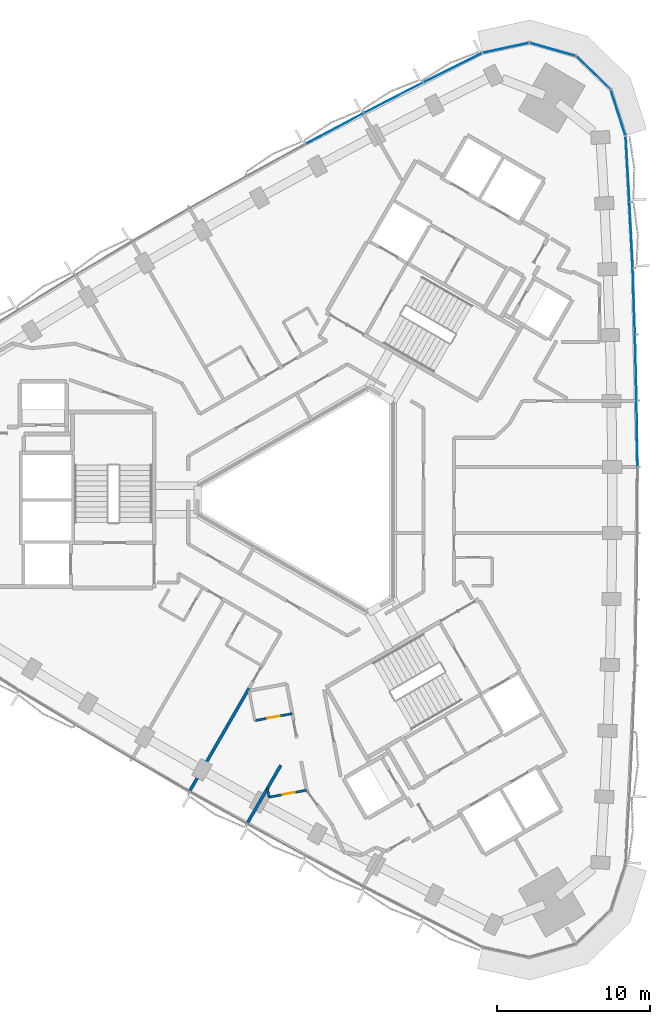
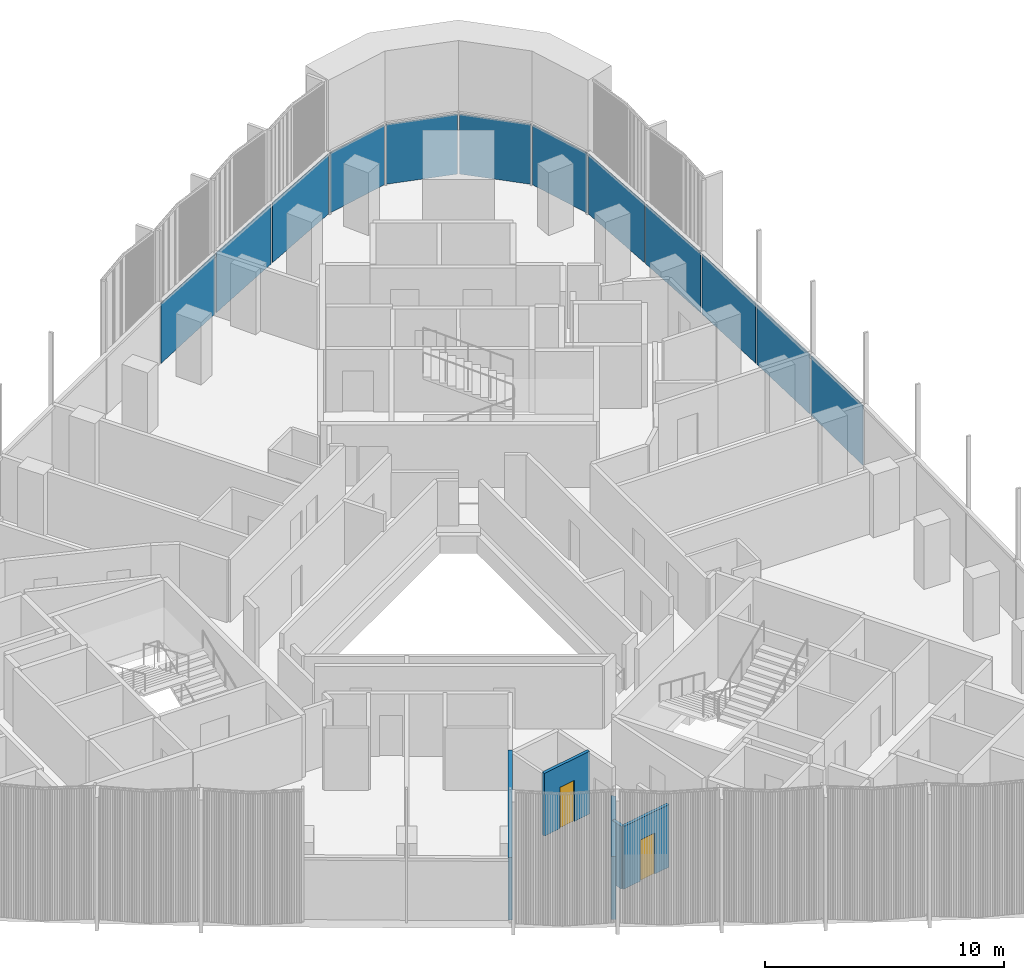
# One storey, part 7 of 15: 12 plates, 5 walls, 2 doors, 2 openings, 2 elements without a shape of their own.
"""IFC4 building model written with IfcOpenShell, lengths in metres."""

from ifc_helpers import new_model, si_unit, direction, frame, frame_2d, origin, origin_2d, place, context, subcontext, project, spatial, rectangle, extrude, material, layer, layer_set, type_object, element, fill, aggregate, save


model = new_model("IFC4")

# Units and contexts
model_context = context("Model", 3, precision=1e-05, world=origin(), true_north=direction((0.0, 1.0)))
body_context = subcontext(model_context, "Body", "Model", "MODEL_VIEW")
ifc_project = project(units=[si_unit("LENGTHUNIT", "METRE"), si_unit("AREAUNIT", "SQUARE_METRE"), si_unit("VOLUMEUNIT", "CUBIC_METRE"), si_unit("PLANEANGLEUNIT", "RADIAN"), si_unit("MASSUNIT", "GRAM", prefix="KILO")], contexts=[model_context])

# Site, building, storey
site_placement = place(None, origin())
site = spatial("IfcSite", under=ifc_project, at=site_placement, CompositionType="ELEMENT")
building_placement = place(site_placement, origin())
building = spatial("IfcBuilding", under=site, at=building_placement, Name="Tamra Quay Hotel Tower", CompositionType="ELEMENT")
storey_placement = place(building_placement, frame((0.0, 0.0, 128.800048828125)))
storey = spatial("IfcBuildingStorey", under=building, at=storey_placement, Name="L31", CompositionType="ELEMENT", Elevation=128.800048828125)

# Curtain wall, plates
ifc_material_1 = material(Name="Aluminium 6063 anodised dark grey", Category="aluminium")
curtain_wall_type_1 = type_object("IfcCurtainWallType", Name="CW1 CURTAIN WALL", PredefinedType="NOTDEFINED", material=ifc_material_1)
curtain_wall_1_placement = place(storey_placement, origin())
curtain_wall_1 = element("IfcCurtainWall", 1, at=curtain_wall_1_placement, inside=storey, type_object=curtain_wall_type_1, Name="CW1 east face L31", PredefinedType="NOTDEFINED")
ifc_material_2 = material(Name="Glass clear laminated low-iron", Category="glass")
ifc_layer_1 = layer(ifc_material_2, 0.031982421875)
ifc_layer_set_1 = layer_set([ifc_layer_1], Name="GLASS PANEL CW1 Z3")
plate_type_1 = type_object("IfcPlateType", Name="GLASS PANEL CW1 Z3", PredefinedType="CURTAIN_PANEL", material=ifc_layer_set_1)
plate_1_placement = place(storey_placement, frame((20.793701171875, 4.342041015625, 0.0), z_axis=(0.0, 0.0, 1.0), x_axis=(-0.011957026787, 0.9999285122, 0.0)))
plate_1 = element("IfcPlate", 2, at=plate_1_placement, type_object=plate_type_1, Name="CW1 glass L31.E.7", PredefinedType="CURTAIN_PANEL", context=body_context, shape_type="SweptSolid", body=[
    extrude(rectangle(XDim=4.24169921875, YDim=0.031982421875, at=origin_2d()), origin(), (0.0, 0.0, 1.0), 3.06005859375),
])
plate_2_placement = place(storey_placement, frame((20.716064453125, 8.683349609375, 0.0), z_axis=(0.0, 0.0, 1.0), x_axis=(-0.023896183128, 0.999714445445, 0.0)))
plate_2 = element("IfcPlate", 3, at=plate_2_placement, type_object=plate_type_1, Name="CW1 glass L31.E.8", PredefinedType="CURTAIN_PANEL", context=body_context, shape_type="SweptSolid", body=[
    extrude(rectangle(XDim=4.24267578125, YDim=0.031982421875, at=origin_2d()), origin(), (0.0, 0.0, 1.0), 3.06005859375),
])
plate_3_placement = place(storey_placement, frame((20.586181640625, 13.02392578125, 0.0), z_axis=(0.0, 0.0, 1.0), x_axis=(-0.03584493651, 0.999357363773, 0.0)))
plate_3 = element("IfcPlate", 4, at=plate_3_placement, type_object=plate_type_1, Name="CW1 glass L31.E.9", PredefinedType="CURTAIN_PANEL", context=body_context, shape_type="SweptSolid", body=[
    extrude(rectangle(XDim=4.24267578125, YDim=0.031982421875, at=origin_2d()), origin(), (0.0, 0.0, 1.0), 3.06005859375),
])
plate_4_placement = place(storey_placement, frame((20.40478515625, 17.3623046875, 0.0), z_axis=(0.0, 0.0, 1.0), x_axis=(-0.04774710654, 0.998859456489, 0.0)))
plate_4 = element("IfcPlate", 5, at=plate_4_placement, type_object=plate_type_1, Name="CW1 glass L31.E.10", PredefinedType="CURTAIN_PANEL", context=body_context, shape_type="SweptSolid", body=[
    extrude(rectangle(XDim=4.24169921875, YDim=0.031982421875, at=origin_2d()), origin(), (0.0, 0.0, 1.0), 3.06005859375),
])
plate_5_placement = place(storey_placement, frame((20.171630859375, 21.697998046875, 0.0), z_axis=(0.0, 0.0, 1.0), x_axis=(-0.05964191564, 0.998219836458, 0.0)))
plate_5 = element("IfcPlate", 6, at=plate_5_placement, type_object=plate_type_1, Name="CW1 glass L31.E.11", PredefinedType="CURTAIN_PANEL", context=body_context, shape_type="SweptSolid", body=[
    extrude(rectangle(XDim=4.2421875, YDim=0.031982421875, at=origin_2d()), origin(), (0.0, 0.0, 1.0), 3.06005859375),
])
plate_6_placement = place(storey_placement, frame((19.55712890625, 25.374267578125, 0.0), z_axis=(0.0, 0.0, 1.0), x_axis=(-0.305914777883, 0.952058899792, 0.0)))
plate_6 = element("IfcPlate", 7, at=plate_6_placement, type_object=plate_type_1, Name="CW1 glass L31.E.12", PredefinedType="CURTAIN_PANEL", context=body_context, shape_type="SweptSolid", body=[
    extrude(rectangle(XDim=3.0703125, YDim=0.031982421875, at=origin_2d()), origin(), (0.0, 0.0, 1.0), 3.06005859375),
])
plate_7_placement = place(storey_placement, frame((17.93310546875, 27.98583984375, 0.0), z_axis=(0.0, 0.0, 1.0), x_axis=(-0.718584480635, 0.695439676888, 0.0)))
plate_7 = element("IfcPlate", 8, at=plate_7_placement, type_object=plate_type_1, Name="CW1 glass L31.E.13", PredefinedType="CURTAIN_PANEL", context=body_context, shape_type="SweptSolid", body=[
    extrude(rectangle(XDim=3.0703125, YDim=0.031982421875, at=origin_2d()), origin(), (0.0, 0.0, 1.0), 3.06005859375),
])
plate_8_placement = place(storey_placement, frame((15.269775390625, 29.5234375, 0.0), z_axis=(0.0, 0.0, 1.0), x_axis=(-0.961560667302, 0.274592576551, 0.0)))
plate_8 = element("IfcPlate", 9, at=plate_8_placement, type_object=plate_type_1, Name="CW1 glass L31.E.14", PredefinedType="CURTAIN_PANEL", context=body_context, shape_type="SweptSolid", body=[
    extrude(rectangle(XDim=3.0703125, YDim=0.031982421875, at=origin_2d()), origin(), (0.0, 0.0, 1.0), 3.06005859375),
])
plate_9_placement = place(storey_placement, frame((12.196044921875, 29.624267578125, 0.0), z_axis=(0.0, 0.0, 1.0), x_axis=(-0.97746458206, -0.211099480856, 0.0)))
plate_9 = element("IfcPlate", 10, at=plate_9_placement, type_object=plate_type_1, Name="CW1 glass L31.E.15", PredefinedType="CURTAIN_PANEL", context=body_context, shape_type="SweptSolid", body=[
    extrude(rectangle(XDim=3.0703125, YDim=0.031982421875, at=origin_2d()), origin(), (0.0, 0.0, 1.0), 3.06005859375),
])
aggregate(curtain_wall_1, [plate_1, plate_2, plate_3, plate_4, plate_5, plate_6, plate_7, plate_8, plate_9])

curtain_wall_type_2 = type_object("IfcCurtainWallType", Name="CW2 CURTAIN WALL", PredefinedType="NOTDEFINED", material=ifc_material_1)
curtain_wall_2_placement = place(storey_placement, origin())
curtain_wall_2 = element("IfcCurtainWall", 11, at=curtain_wall_2_placement, inside=storey, type_object=curtain_wall_type_2, Name="CW2 north-west face L31", PredefinedType="NOTDEFINED")
ifc_layer_2 = layer(ifc_material_2, 0.031982421875)
ifc_layer_set_2 = layer_set([ifc_layer_2], Name="GLASS PANEL CW2 Z3")
plate_type_2 = type_object("IfcPlateType", Name="GLASS PANEL CW2 Z3", PredefinedType="CURTAIN_PANEL", material=ifc_layer_set_2)
plate_10_placement = place(storey_placement, frame((8.705078125, 28.318115234375, 0.0), z_axis=(0.0, 0.0, 1.0), x_axis=(-0.894304694754, -0.447458504155, 0.0)))
plate_10 = element("IfcPlate", 12, at=plate_10_placement, type_object=plate_type_2, Name="CW2 glass L31.NW.1", PredefinedType="CURTAIN_PANEL", context=body_context, shape_type="SweptSolid", body=[
    extrude(rectangle(XDim=4.2421875, YDim=0.031982421875, at=origin_2d()), origin(), (0.0, 0.0, 1.0), 3.06005859375),
])
plate_11_placement = place(storey_placement, frame((4.833740234375, 26.352294921875, 0.0), z_axis=(0.0, 0.0, 1.0), x_axis=(-0.8889112174, -0.458079521023, 0.0)))
plate_11 = element("IfcPlate", 13, at=plate_11_placement, type_object=plate_type_2, Name="CW2 glass L31.NW.2", PredefinedType="CURTAIN_PANEL", context=body_context, shape_type="SweptSolid", body=[
    extrude(rectangle(XDim=4.24169921875, YDim=0.031982421875, at=origin_2d()), origin(), (0.0, 0.0, 1.0), 3.06005859375),
])
plate_12_placement = place(storey_placement, frame((0.986083984375, 24.34033203125, 0.0), z_axis=(0.0, 0.0, 1.0), x_axis=(-0.883391332741, -0.468636056272, 0.0)))
plate_12 = element("IfcPlate", 14, at=plate_12_placement, type_object=plate_type_2, Name="CW2 glass L31.NW.3", PredefinedType="CURTAIN_PANEL", context=body_context, shape_type="SweptSolid", body=[
    extrude(rectangle(XDim=4.24267578125, YDim=0.031982421875, at=origin_2d()), origin(), (0.0, 0.0, 1.0), 3.06005859375),
])
aggregate(curtain_wall_2, [plate_10, plate_11, plate_12])

# Wall, opening, door
ifc_material_3 = material(Name="Partition en-suite wall")
ifc_layer_3 = layer(ifc_material_3, 0.14990234375)
ifc_layer_set_3 = layer_set([ifc_layer_3], Name="Partition en-suite wall")
wall_type_1 = type_object("IfcWallType", Name="Partition en-suite wall", PredefinedType="PARTITIONING", material=ifc_layer_set_3)
wall_1_placement = place(storey_placement, frame((-4.25390625, -14.45703125, 0.0), z_axis=(0.0, 0.0, 1.0), x_axis=(0.98293843799, 0.183934844773, 0.0)))
wall_1 = element("IfcWall", 15, at=wall_1_placement, inside=storey, type_object=wall_type_1, Name="W-E", PredefinedType="PARTITIONING", context=body_context, shape_type="SweptSolid", body=[
    extrude(rectangle(XDim=2.500732421875, YDim=0.14990234375, at=frame_2d((1.25048828125, 0.0))), origin(), (0.0, 0.0, 1.0), 3.199951171875),
])
opening_1_placement = place(wall_1_placement, frame((0.850341796875, 0.0, 0.0)))
opening_1 = element("IfcOpeningElement", 16, at=opening_1_placement, cuts=wall_1, Name="Opening L31-D019", PredefinedType="OPENING", context=body_context, shape_type="SweptSolid", body=[
    extrude(rectangle(XDim=0.800048828125, YDim=2.10009765625, at=frame_2d((0.39990234375, 1.050048828125))), frame((0.0, 0.0849609375, 0.0), z_axis=(0.0, -1.0, 0.0), x_axis=(1.0, 0.0, 0.0)), (0.0, 0.0, 1.0), 0.169921875),
])
ifc_material_4 = material(Name="Door en-suite 800x2100")
door_type = type_object("IfcDoorType", Name="Door en-suite 800x2100", OperationType="NOTDEFINED", PredefinedType="DOOR", material=ifc_material_4)
door_1_placement = place(opening_1_placement, frame((0.800048828125, 0.0, 0.0), z_axis=(0.0, 0.0, 1.0), x_axis=(-1.0, 0.0, 0.0)))
door_1 = element("IfcDoor", 17, at=door_1_placement, inside=storey, type_object=door_type, Name="L31-D019", OperationType="SINGLE_SWING_LEFT", OverallHeight=2.10009765625, OverallWidth=0.800048828125, PredefinedType="DOOR", context=body_context, shape_type="SweptSolid", body=[
    extrude(rectangle(XDim=0.800048828125, YDim=2.10009765625, at=frame_2d((0.39990234375, 1.050048828125))), frame((0.0, 0.02490234375, 0.0), z_axis=(0.0, -1.0, 0.0), x_axis=(1.0, 0.0, 0.0)), (0.0, 0.0, 1.0), 0.050048828125),
])
fill(opening_1, door_1)

# Wall
wall_2_placement = place(storey_placement, frame((-3.425048828125, -18.8974609375, 0.0), z_axis=(0.0, 0.0, 1.0), x_axis=(0.183861553242, -0.982952150025, 0.0)))
element("IfcWall", 18, at=wall_2_placement, inside=storey, type_object=wall_type_1, Name="W-E", PredefinedType="PARTITIONING", context=body_context, shape_type="SweptSolid", body=[
    extrude(rectangle(XDim=0.5869140625, YDim=0.14990234375, at=frame_2d((0.29345703125, 0.0))), origin(), (0.0, 0.0, 1.0), 3.199951171875),
])

# Wall, opening, door
wall_3_placement = place(storey_placement, frame((-3.31494140625, -19.47412109375, 0.0), z_axis=(0.0, 0.0, 1.0), x_axis=(0.982978173855, 0.183722371326, 0.0)))
wall_3 = element("IfcWall", 19, at=wall_3_placement, inside=storey, type_object=wall_type_1, Name="W-E", PredefinedType="PARTITIONING", context=body_context, shape_type="SweptSolid", body=[
    extrude(rectangle(XDim=2.49951171875, YDim=0.14990234375, at=frame_2d((1.249755859375, 0.0))), origin(), (0.0, 0.0, 1.0), 3.199951171875),
])
opening_2_placement = place(wall_3_placement, frame((0.91455078125, 0.0, 0.0)))
opening_2 = element("IfcOpeningElement", 20, at=opening_2_placement, cuts=wall_3, Name="Opening L31-D022", PredefinedType="OPENING", context=body_context, shape_type="SweptSolid", body=[
    extrude(rectangle(XDim=0.800048828125, YDim=2.10009765625, at=frame_2d((0.39990234375, 1.050048828125))), frame((0.0, 0.0849609375, 0.0), z_axis=(0.0, -1.0, 0.0), x_axis=(1.0, 0.0, 0.0)), (0.0, 0.0, 1.0), 0.169921875),
])
door_2_placement = place(opening_2_placement, frame((0.800048828125, 0.0, 0.0), z_axis=(0.0, 0.0, 1.0), x_axis=(-1.0, 0.0, 0.0)))
door_2 = element("IfcDoor", 21, at=door_2_placement, inside=storey, type_object=door_type, Name="L31-D022", OperationType="SINGLE_SWING_LEFT", OverallHeight=2.10009765625, OverallWidth=0.800048828125, PredefinedType="DOOR", context=body_context, shape_type="SweptSolid", body=[
    extrude(rectangle(XDim=0.800048828125, YDim=2.10009765625, at=frame_2d((0.39990234375, 1.050048828125))), frame((0.0, 0.02490234375, 0.0), z_axis=(0.0, -1.0, 0.0), x_axis=(1.0, 0.0, 0.0)), (0.0, 0.0, 1.0), 0.050048828125),
])
fill(opening_2, door_2)

# Walls
ifc_material_5 = material(Name="Partition party wall")
ifc_layer_4 = layer(ifc_material_5, 0.199951171875)
ifc_layer_set_4 = layer_set([ifc_layer_4], Name="Partition party wall")
wall_type_2 = type_object("IfcWallType", Name="Partition party wall", PredefinedType="PARTITIONING", material=ifc_layer_set_4)
wall_4_placement = place(storey_placement, frame((-8.535400390625, -19.10693359375, 0.0), z_axis=(0.0, 0.0, 1.0), x_axis=(0.500028565219, 0.866008911019, 0.0)))
element("IfcWall", 22, at=wall_4_placement, inside=storey, type_object=wall_type_2, Name="W-P", PredefinedType="PARTITIONING", context=body_context, shape_type="SweptSolid", body=[
    extrude(rectangle(XDim=7.82421875, YDim=0.199951171875, at=frame_2d((3.912109375, 0.0))), origin(), (0.0, 0.0, 1.0), 3.199951171875),
])
wall_5_placement = place(storey_placement, frame((-4.766845703125, -21.22314453125, 0.0), z_axis=(0.0, 0.0, 1.0), x_axis=(0.500305100915, 0.865849182017, 0.0)))
element("IfcWall", 23, at=wall_5_placement, inside=storey, type_object=wall_type_2, Name="W-P", PredefinedType="PARTITIONING", context=body_context, shape_type="SweptSolid", body=[
    extrude(rectangle(XDim=4.436767578125, YDim=0.199951171875, at=frame_2d((2.21826171875, 0.0))), origin(), (0.0, 0.0, 1.0), 3.199951171875),
])

save(model, "model.ifc")
